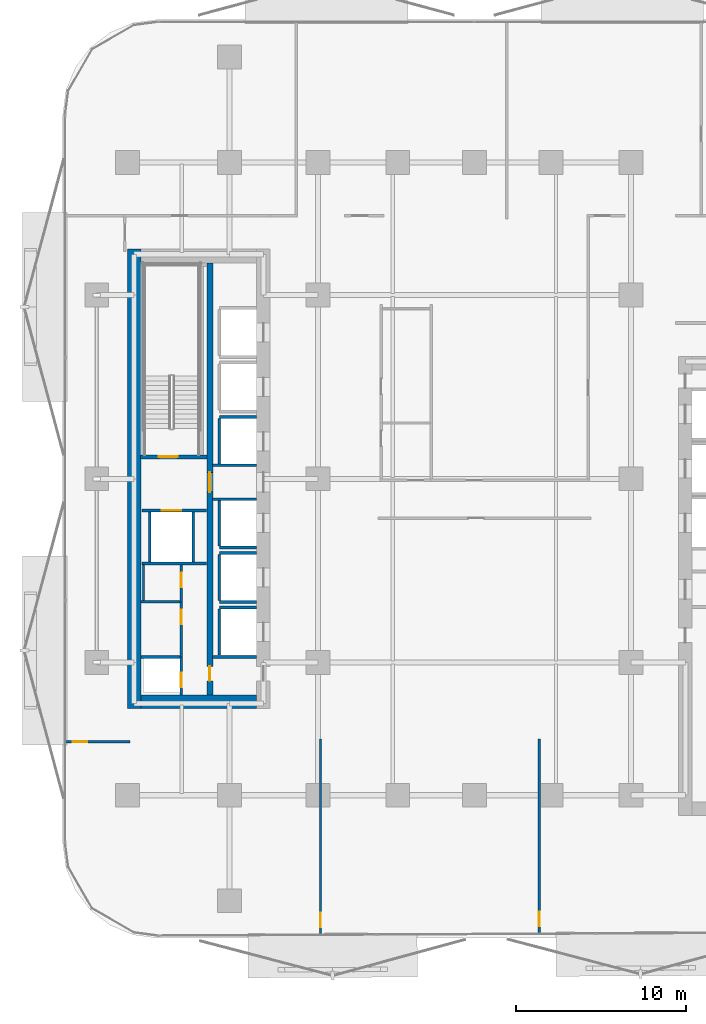
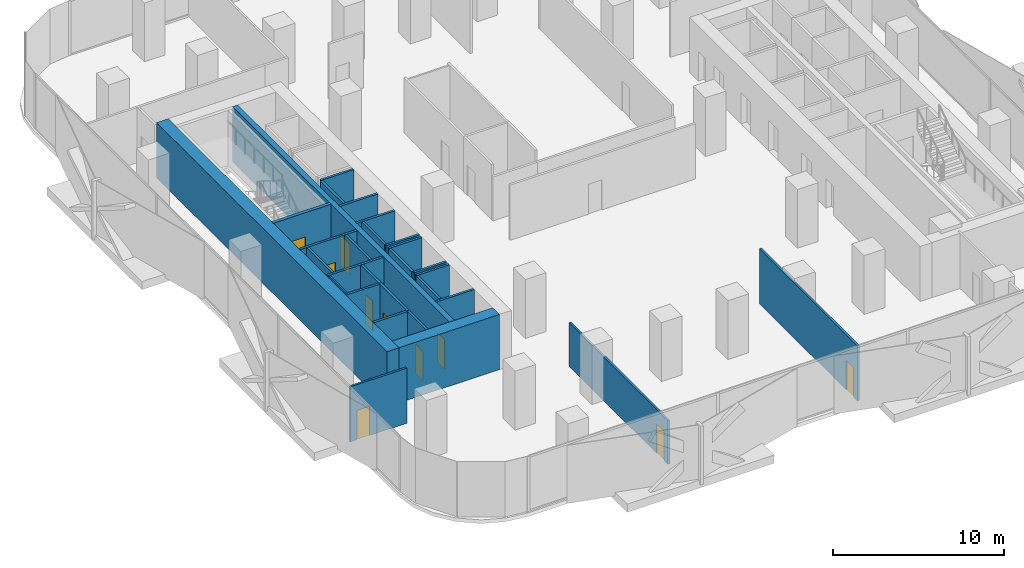
# One storey, part 3 of 16: 29 walls, 10 doors, 10 openings.
"""IFC4 building model written with IfcOpenShell, lengths in metres."""

from ifc_helpers import new_model, si_unit, direction, frame, frame_2d, origin, place, context, subcontext, project, spatial, rectangle, extrude, material, layer, layer_set, type_object, element, fill, save


model = new_model("IFC4")

# Units and contexts
model_context = context("Model", 3, precision=1e-05, world=origin(), true_north=direction((0.0, 1.0)))
body_context = subcontext(model_context, "Body", "Model", "MODEL_VIEW")
ifc_project = project(units=[si_unit("LENGTHUNIT", "METRE"), si_unit("AREAUNIT", "SQUARE_METRE"), si_unit("VOLUMEUNIT", "CUBIC_METRE"), si_unit("PLANEANGLEUNIT", "RADIAN"), si_unit("MASSUNIT", "GRAM", prefix="KILO")], contexts=[model_context])

# Site, building, storey
site_placement = place(None, origin())
site = spatial("IfcSite", under=ifc_project, at=site_placement, CompositionType="ELEMENT")
building_placement = place(site_placement, origin())
building = spatial("IfcBuilding", under=site, at=building_placement, Name="Khairoan Windgate Tower", CompositionType="ELEMENT")
storey_placement = place(building_placement, frame((0.0, 0.0, 55.39990234375)))
storey = spatial("IfcBuildingStorey", under=building, at=storey_placement, Name="L13", CompositionType="ELEMENT", Elevation=55.39990234375)

# Walls
ifc_material_1 = material(Name="Moisture-Resistant Gypsum Partition", Category="gypsum")
ifc_layer_1 = layer(ifc_material_1, 0.10009765625, Name="Moisture-Resistant Gypsum Partition")
ifc_layer_set_1 = layer_set([ifc_layer_1], Name="Moisture-Resistant Gypsum Partition")
wall_type_1 = type_object("IfcWallType", Name="Bathroom Wet-Area Partition Wall", PredefinedType="PARTITIONING", material=ifc_layer_set_1)
wall_1_placement = place(storey_placement, frame((-19.449951171875, -7.14990234375, 0.0), z_axis=(0.0, 0.0, 1.0), x_axis=(0.0, 1.0, 0.0)))
element("IfcWall", 1, at=wall_1_placement, inside=storey, type_object=wall_type_1, Name="L13 Wet Room Side Wall 038", PredefinedType="PARTITIONING", context=body_context, shape_type="SweptSolid", body=[
    extrude(rectangle(XDim=2.08984375, YDim=0.10009765625, at=frame_2d((1.044921875, 0.0))), origin(), (0.0, 0.0, 1.0), 3.940185546875),
])
ifc_material_2 = material(Name="Concrete C40/50", Category="concrete")
ifc_layer_2 = layer(ifc_material_2, 0.159912109375, Name="Concrete C40/50")
ifc_layer_set_2 = layer_set([ifc_layer_2], Name="Concrete C40/50")
wall_type_2 = type_object("IfcWallType", Name="Core and Hoistway Enclosure Wall", PredefinedType="STANDARD", material=ifc_layer_set_2)
wall_2_placement = place(storey_placement, frame((-14.989990234375, 3.639892578125, 0.0), z_axis=(0.0, 0.0, 1.0), x_axis=(1.0, 0.0, 0.0)))
element("IfcWall", 2, at=wall_2_placement, inside=storey, type_object=wall_type_2, Name="L13 Lift PL3 Hoistway Divider N", PredefinedType="STANDARD", context=body_context, shape_type="SweptSolid", body=[
    extrude(rectangle(XDim=2.18994140625, YDim=0.159912109375, at=frame_2d((1.094970703125, 0.0))), origin(), (0.0, 0.0, 1.0), 3.940185546875),
])
wall_3_placement = place(storey_placement, frame((-14.989990234375, 0.85009765625, 0.0), z_axis=(0.0, 0.0, 1.0), x_axis=(0.0, 1.0, 0.0)))
element("IfcWall", 3, at=wall_3_placement, inside=storey, type_object=wall_type_2, Name="L13 Lift PL3 Hoistway Back Wall", PredefinedType="STANDARD", context=body_context, shape_type="SweptSolid", body=[
    extrude(rectangle(XDim=2.699951171875, YDim=0.159912109375, at=frame_2d((1.35009765625, 0.0))), origin(), (0.0, 0.0, 1.0), 3.940185546875),
])
wall_4_placement = place(storey_placement, frame((-14.989990234375, -4.0400390625, 0.0), z_axis=(0.0, 0.0, 1.0), x_axis=(1.0, 0.0, 0.0)))
element("IfcWall", 4, at=wall_4_placement, inside=storey, type_object=wall_type_2, Name="L13 Lift PL4 Hoistway Divider S", PredefinedType="STANDARD", context=body_context, shape_type="SweptSolid", body=[
    extrude(rectangle(XDim=2.18994140625, YDim=0.159912109375, at=frame_2d((1.094970703125, 0.0))), origin(), (0.0, 0.0, 1.0), 3.940185546875),
])
wall_5_placement = place(storey_placement, frame((-14.989990234375, -3.949951171875, 0.0), z_axis=(0.0, 0.0, 1.0), x_axis=(0.0, 1.0, 0.0)))
element("IfcWall", 5, at=wall_5_placement, inside=storey, type_object=wall_type_2, Name="L13 Lift PL4 Hoistway Back Wall", PredefinedType="STANDARD", context=body_context, shape_type="SweptSolid", body=[
    extrude(rectangle(XDim=2.699951171875, YDim=0.159912109375, at=frame_2d((1.35009765625, 0.0))), origin(), (0.0, 0.0, 1.0), 3.940185546875),
])
for number, where, z_axis, x_axis, name in (
    (6, (-14.989990234375, -7.239990234375, 0.0), (0.0, 0.0, 1.0), (1.0, 0.0, 0.0), "L13 Lift PL5 Hoistway Divider S"),
    (7, (-14.989990234375, -4.360107421875, 0.0), (0.0, 0.0, 1.0), (1.0, 0.0, 0.0), "L13 Lift PL5 Hoistway Divider N"),
):
    element("IfcWall", number, at=place(storey_placement, frame(where, z_axis=z_axis, x_axis=x_axis)), inside=storey, type_object=wall_type_2, Name=name, PredefinedType="STANDARD", context=body_context, shape_type="SweptSolid", body=[
        extrude(rectangle(XDim=2.18994140625, YDim=0.159912109375, at=frame_2d((1.094970703125, 0.0))), origin(), (0.0, 0.0, 1.0), 3.940185546875),
    ])
wall_6_placement = place(storey_placement, frame((-14.989990234375, -7.14990234375, 0.0), z_axis=(0.0, 0.0, 1.0), x_axis=(0.0, 1.0, 0.0)))
element("IfcWall", 8, at=wall_6_placement, inside=storey, type_object=wall_type_2, Name="L13 Lift PL5 Hoistway Back Wall", PredefinedType="STANDARD", context=body_context, shape_type="SweptSolid", body=[
    extrude(rectangle(XDim=2.699951171875, YDim=0.159912109375, at=frame_2d((1.35009765625, 0.0))), origin(), (0.0, 0.0, 1.0), 3.940185546875),
])
wall_7_placement = place(storey_placement, frame((-14.989990234375, -7.56005859375, 0.0), z_axis=(0.0, 0.0, 1.0), x_axis=(1.0, 0.0, 0.0)))
element("IfcWall", 9, at=wall_7_placement, inside=storey, type_object=wall_type_2, Name="L13 Lift PL6 Hoistway Divider N", PredefinedType="STANDARD", context=body_context, shape_type="SweptSolid", body=[
    extrude(rectangle(XDim=2.18994140625, YDim=0.159912109375, at=frame_2d((1.094970703125, 0.0))), origin(), (0.0, 0.0, 1.0), 3.940185546875),
])
wall_8_placement = place(storey_placement, frame((-14.989990234375, -10.35009765625, 0.0), z_axis=(0.0, 0.0, 1.0), x_axis=(0.0, 1.0, 0.0)))
element("IfcWall", 10, at=wall_8_placement, inside=storey, type_object=wall_type_2, Name="L13 Lift PL6 Hoistway Back Wall", PredefinedType="STANDARD", context=body_context, shape_type="SweptSolid", body=[
    extrude(rectangle(XDim=2.7001953125, YDim=0.159912109375, at=frame_2d((1.35009765625, 0.0))), origin(), (0.0, 0.0, 1.0), 3.940185546875),
])

# Wall, opening, door
wall_9_placement = place(storey_placement, frame((-19.550048828125, -1.860107421875, 0.0), z_axis=(0.0, 0.0, 1.0), x_axis=(1.0, 0.0, 0.0)))
wall_9 = element("IfcWall", 11, at=wall_9_placement, inside=storey, type_object=wall_type_2, Name="L13 Core Shaft Wall SW-FL2-L13", PredefinedType="STANDARD", context=body_context, shape_type="SweptSolid", body=[
    extrude(rectangle(XDim=3.800048828125, YDim=0.159912109375, at=frame_2d((1.89990234375, 0.0))), origin(), (0.0, 0.0, 1.0), 3.940185546875),
])
opening_1_placement = place(wall_9_placement, frame((1.179931640625, 0.0, 0.0)))
opening_1 = element("IfcOpeningElement", 12, at=opening_1_placement, cuts=wall_9, Name="Opening LD-FL", PredefinedType="OPENING", context=body_context, shape_type="SweptSolid", body=[
    extrude(rectangle(XDim=1.14990234375, YDim=2.199951171875, at=frame_2d((0.574951171875, 1.10009765625))), frame((0.0, 0.08984375, 0.0), z_axis=(0.0, -1.0, 0.0), x_axis=(1.0, 0.0, 0.0)), (0.0, 0.0, 1.0), 0.179931640625),
])
ifc_material_3 = material(Name="Steel S355", Category="steel")
door_type_1 = type_object("IfcDoorType", Name="Firefighting Lift Sliding Landing Door LD-FL 1150x2200", OperationType="DOUBLE_DOOR_SLIDING", PredefinedType="DOOR", material=ifc_material_3)
door_1_placement = place(opening_1_placement, origin())
door_1 = element("IfcDoor", 13, at=door_1_placement, inside=storey, type_object=door_type_1, Name="L13 Firefighting Lift FL2 Landing Door", OperationType="DOUBLE_DOOR_SLIDING", OverallHeight=2.199951171875, OverallWidth=1.14990234375, PredefinedType="DOOR", context=body_context, shape_type="SweptSolid", body=[
    extrude(rectangle(XDim=1.14990234375, YDim=2.199951171875, at=frame_2d((0.574951171875, 1.10009765625))), frame((0.0, 0.02490234375, 0.0), z_axis=(0.0, -1.0, 0.0), x_axis=(1.0, 0.0, 0.0)), (0.0, 0.0, 1.0), 0.050048828125),
])
fill(opening_1, door_1)

# Walls
wall_10_placement = place(storey_placement, frame((-19.550048828125, -4.97998046875, 0.0), z_axis=(0.0, 0.0, 1.0), x_axis=(1.0, 0.0, 0.0)))
element("IfcWall", 14, at=wall_10_placement, inside=storey, type_object=wall_type_2, Name="L13 Core Shaft Wall SW-FL2B-L13", PredefinedType="STANDARD", context=body_context, shape_type="SweptSolid", body=[
    extrude(rectangle(XDim=3.800048828125, YDim=0.159912109375, at=frame_2d((1.89990234375, 0.0))), origin(), (0.0, 0.0, 1.0), 3.940185546875),
])
for number, where, z_axis, x_axis, name in (
    (15, (-19.080078125, -4.89990234375, 0.0), (0.0, 0.0, 1.0), (0.0, 1.0, 0.0), "L13 Core Shaft Wall SW-FL2W-L13"),
    (16, (-16.52001953125, -4.89990234375, 0.0), (0.0, 0.0, 1.0), (0.0, 1.0, 0.0), "L13 Core Shaft Wall SW-FL2E-L13"),
):
    element("IfcWall", number, at=place(storey_placement, frame(where, z_axis=z_axis, x_axis=x_axis)), inside=storey, type_object=wall_type_2, Name=name, PredefinedType="STANDARD", context=body_context, shape_type="SweptSolid", body=[
        extrude(rectangle(XDim=2.9599609375, YDim=0.159912109375, at=frame_2d((1.47998046875, 0.0))), origin(), (0.0, 0.0, 1.0), 3.940185546875),
    ])
for number, where, z_axis, x_axis, name in (
    (17, (-15.39990234375, 0.800048828125, 0.0), (0.0, 0.0, 1.0), (1.0, 0.0, 0.0), "L13 Core Shaft Wall SW-WV1-L13"),
    (18, (-15.39990234375, -1.199951171875, 0.0), (0.0, 0.0, 1.0), (1.0, 0.0, 0.0), "L13 Core Shaft Wall SW-WV2-L13"),
    (19, (-15.39990234375, -10.47998046875, 0.0), (0.0, 0.0, 1.0), (1.0, 0.0, 0.0), "L13 Core Shaft Wall SW-WSV-L13"),
):
    element("IfcWall", number, at=place(storey_placement, frame(where, z_axis=z_axis, x_axis=x_axis)), inside=storey, type_object=wall_type_2, Name=name, PredefinedType="STANDARD", context=body_context, shape_type="SweptSolid", body=[
        extrude(rectangle(XDim=2.599853515625, YDim=0.159912109375, at=frame_2d((1.2998046875, 0.0))), origin(), (0.0, 0.0, 1.0), 3.940185546875),
    ])

# Wall, opening, door
ifc_material_4 = material(Name="Acoustic Fire-Rated Gypsum Partition", Category="gypsum")
ifc_layer_3 = layer(ifc_material_4, 0.139892578125, Name="Acoustic Fire-Rated Gypsum Partition")
ifc_layer_set_3 = layer_set([ifc_layer_3], Name="Acoustic Fire-Rated Gypsum Partition")
wall_type_3 = type_object("IfcWallType", Name="Inter-Tenancy Compartment Wall", PredefinedType="PARTITIONING", material=ifc_layer_set_3)
wall_11_placement = place(storey_placement, frame((-24.054931640625, -15.4599609375, 0.0), z_axis=(0.0, 0.0, 1.0), x_axis=(1.0, 0.0, 0.0)))
wall_11 = element("IfcWall", 20, at=wall_11_placement, inside=storey, type_object=wall_type_3, Name="L13 Interior Partition 025", PredefinedType="PARTITIONING", context=body_context, shape_type="SweptSolid", body=[
    extrude(rectangle(XDim=3.81494140625, YDim=0.139892578125, at=frame_2d((1.907470703125, 0.0))), origin(), (0.0, 0.0, 1.0), 3.940185546875),
])
opening_2_placement = place(wall_11_placement, frame((0.4599609375, 0.0, 0.0)))
opening_2 = element("IfcOpeningElement", 21, at=opening_2_placement, cuts=wall_11, Name="Opening FD-SRV", PredefinedType="OPENING", context=body_context, shape_type="SweptSolid", body=[
    extrude(rectangle(XDim=0.85009765625, YDim=2.10009765625, at=frame_2d((0.425048828125, 1.050048828125))), frame((0.0, 0.079833984375, 0.0), z_axis=(0.0, -1.0, 0.0), x_axis=(1.0, 0.0, 0.0)), (0.0, 0.0, 1.0), 0.159912109375),
])
ifc_material_5 = material(Name="Steel S355", Category="steel")
door_type_2 = type_object("IfcDoorType", Name="Core Service and Riser Fire Door FD-SRV 850x2100", OperationType="NOTDEFINED", PredefinedType="DOOR", material=ifc_material_5)
door_2_placement = place(opening_2_placement, origin())
door_2 = element("IfcDoor", 22, at=door_2_placement, inside=storey, type_object=door_type_2, Name="L13 L13-36-L13-43 Door", OperationType="SINGLE_SWING_RIGHT", OverallHeight=2.10009765625, OverallWidth=0.85009765625, PredefinedType="DOOR", context=body_context, shape_type="SweptSolid", body=[
    extrude(rectangle(XDim=0.85009765625, YDim=2.10009765625, at=frame_2d((0.425048828125, 1.050048828125))), frame((0.0, 0.02490234375, 0.0), z_axis=(0.0, -1.0, 0.0), x_axis=(1.0, 0.0, 0.0)), (0.0, 0.0, 1.0), 0.050048828125),
])
fill(opening_2, door_2)

wall_12_placement = place(storey_placement, frame((-9.0439453125, -26.80859375, 0.0), z_axis=(0.0, 0.0, 1.0), x_axis=(0.0, 1.0, 0.0)))
wall_12 = element("IfcWall", 23, at=wall_12_placement, inside=storey, type_object=wall_type_3, Name="L13 Interior Partition 032", PredefinedType="PARTITIONING", context=body_context, shape_type="SweptSolid", body=[
    extrude(rectangle(XDim=11.528564453125, YDim=0.139892578125, at=frame_2d((5.76416015625, 0.0))), origin(), (0.0, 0.0, 1.0), 3.14013671875),
])
opening_3_placement = place(wall_12_placement, frame((0.4599609375, 0.0, 0.0)))
opening_3 = element("IfcOpeningElement", 24, at=opening_3_placement, cuts=wall_12, Name="Opening FD-SRV", PredefinedType="OPENING", context=body_context, shape_type="SweptSolid", body=[
    extrude(rectangle(XDim=0.85009765625, YDim=2.10009765625, at=frame_2d((0.425048828125, 1.050048828125))), frame((0.0, 0.079833984375, 0.0), z_axis=(0.0, -1.0, 0.0), x_axis=(1.0, 0.0, 0.0)), (0.0, 0.0, 1.0), 0.159912109375),
])
door_3_placement = place(opening_3_placement, origin())
door_3 = element("IfcDoor", 25, at=door_3_placement, inside=storey, type_object=door_type_2, Name="L13 L13-43-L13-44 Door", OperationType="SINGLE_SWING_LEFT", OverallHeight=2.10009765625, OverallWidth=0.85009765625, PredefinedType="DOOR", context=body_context, shape_type="SweptSolid", body=[
    extrude(rectangle(XDim=0.85009765625, YDim=2.10009765625, at=frame_2d((0.425048828125, 1.050048828125))), frame((0.0, 0.02490234375, 0.0), z_axis=(0.0, -1.0, 0.0), x_axis=(1.0, 0.0, 0.0)), (0.0, 0.0, 1.0), 0.050048828125),
])
fill(opening_3, door_3)

wall_13_placement = place(storey_placement, frame((3.80810546875, -26.746337890625, 0.0), z_axis=(0.0, 0.0, 1.0), x_axis=(0.0, 1.0, 0.0)))
wall_13 = element("IfcWall", 26, at=wall_13_placement, inside=storey, type_object=wall_type_3, Name="L13 Interior Partition 033", PredefinedType="PARTITIONING", context=body_context, shape_type="SweptSolid", body=[
    extrude(rectangle(XDim=11.46630859375, YDim=0.139892578125, at=frame_2d((5.733154296875, 0.0))), origin(), (0.0, 0.0, 1.0), 3.940185546875),
])
opening_4_placement = place(wall_13_placement, frame((0.4599609375, 0.0, 0.0)))
opening_4 = element("IfcOpeningElement", 27, at=opening_4_placement, cuts=wall_13, Name="Opening FD-SRV", PredefinedType="OPENING", context=body_context, shape_type="SweptSolid", body=[
    extrude(rectangle(XDim=0.85009765625, YDim=2.10009765625, at=frame_2d((0.425048828125, 1.050048828125))), frame((0.0, 0.079833984375, 0.0), z_axis=(0.0, -1.0, 0.0), x_axis=(1.0, 0.0, 0.0)), (0.0, 0.0, 1.0), 0.159912109375),
])
door_4_placement = place(opening_4_placement, origin())
door_4 = element("IfcDoor", 28, at=door_4_placement, inside=storey, type_object=door_type_2, Name="L13 L13-44-L13-45 Door", OperationType="SINGLE_SWING_RIGHT", OverallHeight=2.10009765625, OverallWidth=0.85009765625, PredefinedType="DOOR", context=body_context, shape_type="SweptSolid", body=[
    extrude(rectangle(XDim=0.85009765625, YDim=2.10009765625, at=frame_2d((0.425048828125, 1.050048828125))), frame((0.0, 0.02490234375, 0.0), z_axis=(0.0, -1.0, 0.0), x_axis=(1.0, 0.0, 0.0)), (0.0, 0.0, 1.0), 0.050048828125),
])
fill(opening_4, door_4)

ifc_material_6 = material(Name="Concrete C40/50", Category="concrete")
ifc_layer_4 = layer(ifc_material_6, 0.159912109375, Name="Concrete C40/50")
ifc_layer_set_4 = layer_set([ifc_layer_4], Name="Concrete C40/50")
wall_type_4 = type_object("IfcWallType", Name="Plant and Refuge Compartment Wall", PredefinedType="PARTITIONING", material=ifc_layer_set_4)
wall_14_placement = place(storey_placement, frame((-17.22998046875, -12.699951171875, 0.0), z_axis=(0.0, 0.0, 1.0), x_axis=(0.0, 1.0, 0.0)))
wall_14 = element("IfcWall", 29, at=wall_14_placement, inside=storey, type_object=wall_type_4, Name="L13 Interior Partition 001", PredefinedType="PARTITIONING", context=body_context, shape_type="SweptSolid", body=[
    extrude(rectangle(XDim=2.22998046875, YDim=0.159912109375, at=frame_2d((1.114990234375, 0.0))), origin(), (0.0, 0.0, 1.0), 3.940185546875),
])
opening_5_placement = place(wall_14_placement, frame((0.4599609375, 0.0, 0.0)))
opening_5 = element("IfcOpeningElement", 30, at=opening_5_placement, cuts=wall_14, Name="Opening FD-SRV", PredefinedType="OPENING", context=body_context, shape_type="SweptSolid", body=[
    extrude(rectangle(XDim=0.85009765625, YDim=2.10009765625, at=frame_2d((0.425048828125, 1.050048828125))), frame((0.0, 0.08984375, 0.0), z_axis=(0.0, -1.0, 0.0), x_axis=(1.0, 0.0, 0.0)), (0.0, 0.0, 1.0), 0.179931640625),
])
door_5_placement = place(opening_5_placement, origin())
door_5 = element("IfcDoor", 31, at=door_5_placement, inside=storey, type_object=door_type_2, Name="L13 L13-04-L13-05 Door", OperationType="SINGLE_SWING_RIGHT", OverallHeight=2.10009765625, OverallWidth=0.85009765625, PredefinedType="DOOR", context=body_context, shape_type="SweptSolid", body=[
    extrude(rectangle(XDim=0.85009765625, YDim=2.10009765625, at=frame_2d((0.425048828125, 1.050048828125))), frame((0.0, 0.02490234375, 0.0), z_axis=(0.0, -1.0, 0.0), x_axis=(1.0, 0.0, 0.0)), (0.0, 0.0, 1.0), 0.050048828125),
])
fill(opening_5, door_5)

wall_15_placement = place(storey_placement, frame((-17.22998046875, -7.22998046875, 0.0), z_axis=(0.0, 0.0, 1.0), x_axis=(0.0, 1.0, 0.0)))
wall_15 = element("IfcWall", 32, at=wall_15_placement, inside=storey, type_object=wall_type_4, Name="L13 Interior Partition 002", PredefinedType="PARTITIONING", context=body_context, shape_type="SweptSolid", body=[
    extrude(rectangle(XDim=2.169921875, YDim=0.159912109375, at=frame_2d((1.0849609375, 0.0))), origin(), (0.0, 0.0, 1.0), 3.940185546875),
])
opening_6_placement = place(wall_15_placement, frame((0.860107421875, 0.0, 0.0)))
opening_6 = element("IfcOpeningElement", 33, at=opening_6_placement, cuts=wall_15, Name="Opening FD-SRV", PredefinedType="OPENING", context=body_context, shape_type="SweptSolid", body=[
    extrude(rectangle(XDim=0.85009765625, YDim=2.10009765625, at=frame_2d((0.425048828125, 1.050048828125))), frame((0.0, 0.08984375, 0.0), z_axis=(0.0, -1.0, 0.0), x_axis=(1.0, 0.0, 0.0)), (0.0, 0.0, 1.0), 0.179931640625),
])
door_6_placement = place(opening_6_placement, origin())
door_6 = element("IfcDoor", 34, at=door_6_placement, inside=storey, type_object=door_type_2, Name="L13 L13-04-L13-06 Door", OperationType="SINGLE_SWING_LEFT", OverallHeight=2.10009765625, OverallWidth=0.85009765625, PredefinedType="DOOR", context=body_context, shape_type="SweptSolid", body=[
    extrude(rectangle(XDim=0.85009765625, YDim=2.10009765625, at=frame_2d((0.425048828125, 1.050048828125))), frame((0.0, 0.02490234375, 0.0), z_axis=(0.0, -1.0, 0.0), x_axis=(1.0, 0.0, 0.0)), (0.0, 0.0, 1.0), 0.050048828125),
])
fill(opening_6, door_6)

wall_16_placement = place(storey_placement, frame((-17.22998046875, -10.469970703125, 0.0), z_axis=(0.0, 0.0, 1.0), x_axis=(0.0, 1.0, 0.0)))
wall_16 = element("IfcWall", 35, at=wall_16_placement, inside=storey, type_object=wall_type_4, Name="L13 Interior Partition 003", PredefinedType="PARTITIONING", context=body_context, shape_type="SweptSolid", body=[
    extrude(rectangle(XDim=3.239990234375, YDim=0.159912109375, at=frame_2d((1.6201171875, 0.0))), origin(), (0.0, 0.0, 1.0), 3.940185546875),
])
opening_7_placement = place(wall_16_placement, frame((1.929931640625, 0.0, 0.0)))
opening_7 = element("IfcOpeningElement", 36, at=opening_7_placement, cuts=wall_16, Name="Opening FD-SRV", PredefinedType="OPENING", context=body_context, shape_type="SweptSolid", body=[
    extrude(rectangle(XDim=0.85009765625, YDim=2.10009765625, at=frame_2d((0.425048828125, 1.050048828125))), frame((0.0, 0.08984375, 0.0), z_axis=(0.0, -1.0, 0.0), x_axis=(1.0, 0.0, 0.0)), (0.0, 0.0, 1.0), 0.179931640625),
])
door_7_placement = place(opening_7_placement, origin())
door_7 = element("IfcDoor", 37, at=door_7_placement, inside=storey, type_object=door_type_2, Name="L13 L13-04-L13-07 Door", OperationType="SINGLE_SWING_RIGHT", OverallHeight=2.10009765625, OverallWidth=0.85009765625, PredefinedType="DOOR", context=body_context, shape_type="SweptSolid", body=[
    extrude(rectangle(XDim=0.85009765625, YDim=2.10009765625, at=frame_2d((0.425048828125, 1.050048828125))), frame((0.0, 0.02490234375, 0.0), z_axis=(0.0, -1.0, 0.0), x_axis=(1.0, 0.0, 0.0)), (0.0, 0.0, 1.0), 0.050048828125),
])
fill(opening_7, door_7)

# Walls
for number, where, z_axis, x_axis, name in (
    (38, (-19.60009765625, -10.469970703125, 0.0), (0.0, 0.0, 1.0), (1.0, 0.0, 0.0), "L13 Interior Partition 004"),
    (39, (-19.60009765625, -7.22998046875, 0.0), (0.0, 0.0, 1.0), (1.0, 0.0, 0.0), "L13 Interior Partition 005"),
):
    element("IfcWall", number, at=place(storey_placement, frame(where, z_axis=z_axis, x_axis=x_axis)), inside=storey, type_object=wall_type_4, Name=name, PredefinedType="PARTITIONING", context=body_context, shape_type="SweptSolid", body=[
        extrude(rectangle(XDim=2.2900390625, YDim=0.159912109375, at=frame_2d((1.14501953125, 0.0))), origin(), (0.0, 0.0, 1.0), 3.940185546875),
    ])
ifc_material_7 = material(Name="Concrete C70/85", Category="concrete")
ifc_layer_5 = layer(ifc_material_7, 0.800048828125, Name="Concrete C70/85")
ifc_layer_set_5 = layer_set([ifc_layer_5], Name="Concrete C70/85")
wall_type_5 = type_object("IfcWallType", Name="Shear Wall CW-W1 800mm", PredefinedType="SHEAR", material=ifc_layer_set_5)
wall_17_placement = place(storey_placement, frame((-20.0, -13.5, 0.0), z_axis=(0.0, 0.0, 1.0), x_axis=(0.0, 1.0, 0.0)))
element("IfcWall", 40, at=wall_17_placement, inside=storey, type_object=wall_type_5, Name="W Core West Shear Wall L13", PredefinedType="SHEAR", context=body_context, shape_type="SweptSolid", body=[
    extrude(rectangle(XDim=27.0, YDim=0.800048828125, at=frame_2d((13.5, 0.0))), origin(), (0.0, 0.0, 1.0), 3.940185546875),
])
wall_18_placement = place(storey_placement, frame((-19.60009765625, -13.10009765625, 0.0), z_axis=(0.0, 0.0, 1.0), x_axis=(1.0, 0.0, 0.0)))
element("IfcWall", 41, at=wall_18_placement, inside=storey, type_object=wall_type_5, Name="W Core South Shear Wall L13", PredefinedType="SHEAR", context=body_context, shape_type="SweptSolid", body=[
    extrude(rectangle(XDim=6.800048828125, YDim=0.800048828125, at=frame_2d((3.39990234375, 0.0))), origin(), (0.0, 0.0, 1.0), 3.940185546875),
])

# Wall, openings, doors
ifc_material_8 = material(Name="Concrete C60/75", Category="concrete")
ifc_layer_6 = layer(ifc_material_8, 0.35009765625, Name="Concrete C60/75")
ifc_layer_set_6 = layer_set([ifc_layer_6], Name="Concrete C60/75")
wall_type_6 = type_object("IfcWallType", Name="Shear Wall SW-1 350mm", PredefinedType="SHEAR", material=ifc_layer_set_6)
wall_19_placement = place(storey_placement, frame((-15.550048828125, -12.699951171875, 0.0), z_axis=(0.0, 0.0, 1.0), x_axis=(0.0, 1.0, 0.0)))
wall_19 = element("IfcWall", 42, at=wall_19_placement, inside=storey, type_object=wall_type_6, Name="W Core Spine Shear Wall L13", PredefinedType="SHEAR", context=body_context, shape_type="SweptSolid", body=[
    extrude(rectangle(XDim=25.39990234375, YDim=0.35009765625, at=frame_2d((12.699951171875, 0.0))), origin(), (0.0, 0.0, 1.0), 3.940185546875),
])
opening_8_placement = place(wall_19_placement, frame((11.925048828125, 0.0, 0.0)))
opening_8 = element("IfcOpeningElement", 43, at=opening_8_placement, cuts=wall_19, Name="Opening FD-FFL", PredefinedType="OPENING", context=body_context, shape_type="SweptSolid", body=[
    extrude(rectangle(XDim=1.14990234375, YDim=2.199951171875, at=frame_2d((0.574951171875, 1.10009765625))), frame((0.0, 0.18505859375, 0.0), z_axis=(0.0, -1.0, 0.0), x_axis=(1.0, 0.0, 0.0)), (0.0, 0.0, 1.0), 0.3701171875),
])
opening_9_placement = place(wall_19_placement, frame((0.824951171875, 0.0, 0.0)))
opening_9 = element("IfcOpeningElement", 44, at=opening_9_placement, cuts=wall_19, Name="Opening FD-SRV", PredefinedType="OPENING", context=body_context, shape_type="SweptSolid", body=[
    extrude(rectangle(XDim=0.85009765625, YDim=2.10009765625, at=frame_2d((0.425048828125, 1.050048828125))), frame((0.0, 0.18505859375, 0.0), z_axis=(0.0, -1.0, 0.0), x_axis=(1.0, 0.0, 0.0)), (0.0, 0.0, 1.0), 0.3701171875),
])
door_8_placement = place(opening_9_placement, origin())
door_8 = element("IfcDoor", 45, at=door_8_placement, inside=storey, type_object=door_type_2, Name="L13 West Core Service Passage Inner Door", OperationType="SINGLE_SWING_LEFT", OverallHeight=2.10009765625, OverallWidth=0.85009765625, PredefinedType="DOOR", context=body_context, shape_type="SweptSolid", body=[
    extrude(rectangle(XDim=0.85009765625, YDim=2.10009765625, at=frame_2d((0.425048828125, 1.050048828125))), frame((0.0, 0.02490234375, 0.0), z_axis=(0.0, -1.0, 0.0), x_axis=(1.0, 0.0, 0.0)), (0.0, 0.0, 1.0), 0.050048828125),
])
fill(opening_9, door_8)
ifc_material_9 = material(Name="Steel S355", Category="steel")
door_type_3 = type_object("IfcDoorType", Name="Firefighting Lobby Fire Door FD-FFL 1150x2200", OperationType="NOTDEFINED", PredefinedType="DOOR", material=ifc_material_9)
door_9_placement = place(opening_8_placement, origin())
door_9 = element("IfcDoor", 46, at=door_9_placement, inside=storey, type_object=door_type_3, Name="L13 West Firefighting Lobby Fire Door", OperationType="SINGLE_SWING_LEFT", OverallHeight=2.199951171875, OverallWidth=1.14990234375, PredefinedType="DOOR", context=body_context, shape_type="SweptSolid", body=[
    extrude(rectangle(XDim=1.14990234375, YDim=2.199951171875, at=frame_2d((0.574951171875, 1.10009765625))), frame((0.0, 0.02490234375, 0.0), z_axis=(0.0, -1.0, 0.0), x_axis=(1.0, 0.0, 0.0)), (0.0, 0.0, 1.0), 0.050048828125),
])
fill(opening_8, door_9)

# Wall, opening, door
ifc_material_10 = material(Name="Concrete C50/60", Category="concrete")
ifc_layer_7 = layer(ifc_material_10, 0.219970703125, Name="Concrete C50/60")
ifc_layer_set_7 = layer_set([ifc_layer_7], Name="Concrete C50/60")
wall_type_7 = type_object("IfcWallType", Name="Shear Wall SW-ST 220mm", PredefinedType="SHEAR", material=ifc_layer_set_7)
wall_20_placement = place(storey_placement, frame((-19.6201171875, 1.2900390625, 0.0), z_axis=(0.0, 0.0, 1.0), x_axis=(1.0, 0.0, 0.0)))
wall_20 = element("IfcWall", 47, at=wall_20_placement, inside=storey, type_object=wall_type_7, Name="L13 Stair ST2 South Bearing Wall", PredefinedType="SHEAR", context=body_context, shape_type="SweptSolid", body=[
    extrude(rectangle(XDim=3.9150390625, YDim=0.219970703125, at=frame_2d((1.95751953125, 0.0))), origin(), (0.0, 0.0, 1.0), 3.940185546875),
])
opening_10_placement = place(wall_20_placement, frame((1.080078125, 0.0, 0.0)))
opening_10 = element("IfcOpeningElement", 48, at=opening_10_placement, cuts=wall_20, Name="Opening FD-ST", PredefinedType="OPENING", context=body_context, shape_type="SweptSolid", body=[
    extrude(rectangle(XDim=1.10009765625, YDim=2.199951171875, at=frame_2d((0.550048828125, 1.10009765625))), frame((0.0, 0.119873046875, 0.0), z_axis=(0.0, -1.0, 0.0), x_axis=(1.0, 0.0, 0.0)), (0.0, 0.0, 1.0), 0.239990234375),
])
ifc_material_11 = material(Name="Steel S355", Category="steel")
door_type_4 = type_object("IfcDoorType", Name="Smokeproof Stair Fire Door FD-ST 1100x2200", OperationType="NOTDEFINED", PredefinedType="DOOR", material=ifc_material_11)
door_10_placement = place(opening_10_placement, origin())
door_10 = element("IfcDoor", 49, at=door_10_placement, inside=storey, type_object=door_type_4, Name="L13 Stair ST2 Fire Door", OperationType="SINGLE_SWING_RIGHT", OverallHeight=2.199951171875, OverallWidth=1.10009765625, PredefinedType="DOOR", context=body_context, shape_type="SweptSolid", body=[
    extrude(rectangle(XDim=1.10009765625, YDim=2.199951171875, at=frame_2d((0.550048828125, 1.10009765625))), frame((0.0, 0.02490234375, 0.0), z_axis=(0.0, -1.0, 0.0), x_axis=(1.0, 0.0, 0.0)), (0.0, 0.0, 1.0), 0.050048828125),
])
fill(opening_10, door_10)

save(model, "model.ifc")
